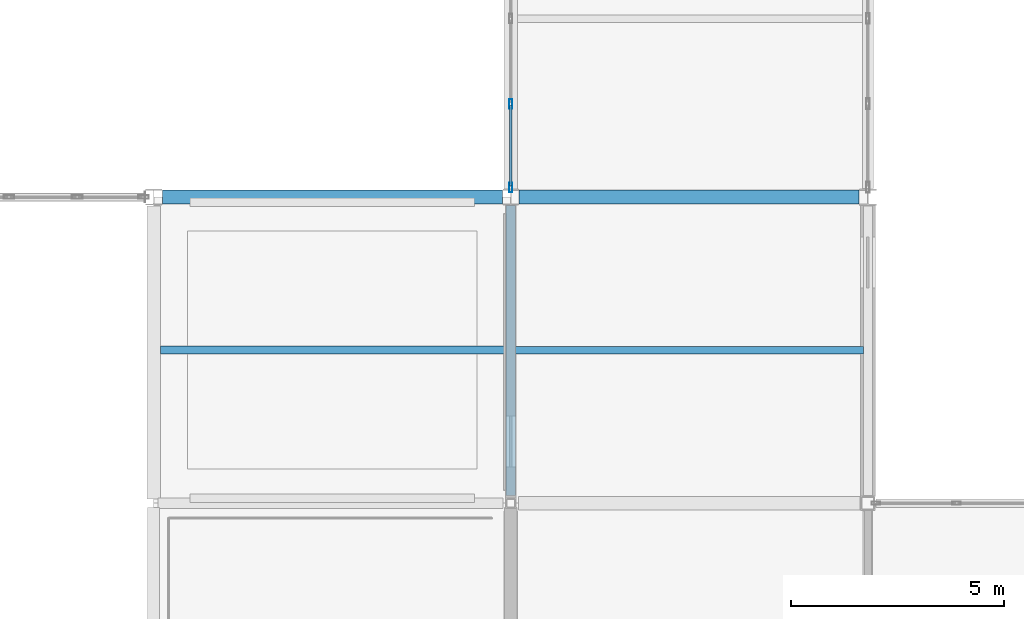
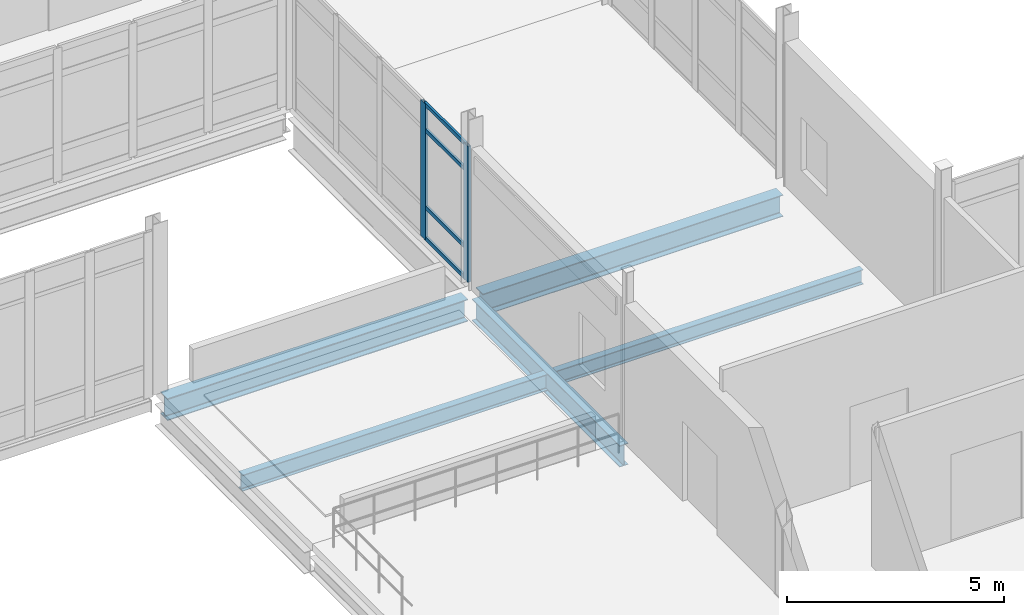
# One storey, part 49 of 186: 6 members, 5 beams, 1 element without a shape of its own.
"""IFC4 building model written with IfcOpenShell, lengths in metres."""

from ifc_helpers import new_model, si_unit, direction, frame, origin, origin_2d, place, context, subcontext, project, spatial, hollow_rectangle, i_section, extrude, material, layer, layer_set, material_profile, profile_set, type_object, element, aggregate, save


model = new_model("IFC4")

# Units and contexts
model_context = context("Model", 3, precision=1e-05, world=origin(), true_north=direction((0.0, 1.0)))
body_context = subcontext(model_context, "Body", "Model", "MODEL_VIEW")
ifc_project = project(units=[si_unit("LENGTHUNIT", "METRE"), si_unit("AREAUNIT", "SQUARE_METRE"), si_unit("VOLUMEUNIT", "CUBIC_METRE"), si_unit("PLANEANGLEUNIT", "RADIAN"), si_unit("MASSUNIT", "GRAM", prefix="KILO")], contexts=[model_context])

# Site, building, storey
site_placement = place(None, origin())
site = spatial("IfcSite", under=ifc_project, at=site_placement, CompositionType="ELEMENT")
building_placement = place(site_placement, origin())
building = spatial("IfcBuilding", under=site, at=building_placement, Name="Calvrana Isthmian Art Gallery", CompositionType="ELEMENT")
storey_placement = place(building_placement, frame((0.0, 0.0, 5.39990234375)))
storey = spatial("IfcBuildingStorey", under=building, at=storey_placement, Name="L01", CompositionType="ELEMENT", Elevation=5.39990234375)

# Beams
ifc_material_1 = material(Name="Steel ASTM A992 Gr 50", Category="steel")
ifc_material_profile_1 = material_profile(ifc_material_1, i_section(OverallWidth=0.324951171875, OverallDepth=0.612060546875, WebThickness=0.0126953125, FlangeThickness=0.01904296875, FilletRadius=0.02197265625, at=origin_2d()), Name="W24X104")
ifc_profile_set_1 = profile_set([ifc_material_profile_1], Name="Steel ASTM A992 Gr 50")
beam_type_1 = type_object("IfcBeamType", Name="BM-G-W24X104", PredefinedType="BEAM", material=ifc_profile_set_1)
beam_1_placement = place(storey_placement, frame((72.199462890625, 21.60009765625, -0.55078125), z_axis=(1.0, 0.0, 0.0), x_axis=(0.0, 1.0, 0.0)))
element("IfcBeam", 1, at=beam_1_placement, inside=storey, type_object=beam_type_1, Name="Girder X L01 10-11/D", PredefinedType="BEAM", context=body_context, shape_type="SweptSolid", body=[
    extrude(i_section(OverallWidth=0.324951171875, OverallDepth=0.612060546875, WebThickness=0.0126953125, FlangeThickness=0.01904296875, FilletRadius=0.02197265625, at=origin_2d()), origin(), (0.0, 0.0, 1.0), 7.99755859375),
])
ifc_material_profile_2 = material_profile(ifc_material_1, i_section(OverallWidth=0.327880859375, OverallDepth=0.6220703125, WebThickness=0.015380859375, FlangeThickness=0.0244140625, FilletRadius=0.02197265625, at=origin_2d()), Name="W24X131")
ifc_profile_set_2 = profile_set([ifc_material_profile_2], Name="Steel ASTM A992 Gr 50")
beam_type_2 = type_object("IfcBeamType", Name="BM-G-W24X131", PredefinedType="BEAM", material=ifc_profile_set_2)
beam_2_placement = place(storey_placement, frame((63.802001953125, 21.60009765625, -0.555908203125), z_axis=(1.0, 0.0, 0.0), x_axis=(0.0, 1.0, 0.0)))
element("IfcBeam", 2, at=beam_2_placement, inside=storey, type_object=beam_type_2, Name="Girder X L01 09-10/D", PredefinedType="BEAM", context=body_context, shape_type="SweptSolid", body=[
    extrude(i_section(OverallWidth=0.327880859375, OverallDepth=0.6220703125, WebThickness=0.015380859375, FlangeThickness=0.0244140625, FilletRadius=0.02197265625, at=origin_2d()), origin(), (0.0, 0.0, 1.0), 7.99853515625),
])
ifc_material_profile_3 = material_profile(ifc_material_1, i_section(OverallWidth=0.22802734375, OverallDepth=0.60693359375, WebThickness=0.01123046875, FlangeThickness=0.017333984375, FilletRadius=0.02197265625, at=origin_2d()), Name="W24X76")
ifc_profile_set_3 = profile_set([ifc_material_profile_3], Name="Steel ASTM A992 Gr 50")
beam_type_3 = type_object("IfcBeamType", Name="BM-G-W24X76", PredefinedType="BEAM", material=ifc_profile_set_3)
beam_3_placement = place(storey_placement, frame((72.0, 14.583984375, -0.54833984375), z_axis=(0.0, 1.0, 0.0), x_axis=(-1.0, 0.0, 0.0)))
element("IfcBeam", 3, at=beam_3_placement, inside=storey, type_object=beam_type_3, Name="Girder Y L01 10/C-D", PredefinedType="BEAM", context=body_context, shape_type="SweptSolid", body=[
    extrude(i_section(OverallWidth=0.22802734375, OverallDepth=0.60693359375, WebThickness=0.01123046875, FlangeThickness=0.017333984375, FilletRadius=0.02197265625, at=origin_2d()), origin(), (0.0, 0.0, 1.0), 6.819091796875),
])
ifc_material_profile_4 = material_profile(ifc_material_1, i_section(OverallWidth=0.179931640625, OverallDepth=0.4140625, WebThickness=0.009765625, FlangeThickness=0.01611328125, FilletRadius=0.01806640625, at=origin_2d()), Name="W16X50")
ifc_profile_set_4 = profile_set([ifc_material_profile_4], Name="Steel ASTM A992 Gr 50")
beam_type_4 = type_object("IfcBeamType", Name="BM-J-W16X50", PredefinedType="JOIST", material=ifc_profile_set_4)
beam_4_placement = place(storey_placement, frame((72.114013671875, 18.0, -0.451904296875), z_axis=(1.0, 0.0, 0.0), x_axis=(0.0, 1.0, 0.0)))
element("IfcBeam", 4, at=beam_4_placement, inside=storey, type_object=beam_type_4, Name="Composite joist L01 bay 09-02", PredefinedType="JOIST", context=body_context, shape_type="SweptSolid", body=[
    extrude(i_section(OverallWidth=0.179931640625, OverallDepth=0.4140625, WebThickness=0.009765625, FlangeThickness=0.01611328125, FilletRadius=0.01806640625, at=origin_2d()), origin(), (0.0, 0.0, 1.0), 8.181396484375),
])
ifc_material_profile_5 = material_profile(ifc_material_1, i_section(OverallWidth=0.19091796875, OverallDepth=0.45703125, WebThickness=0.009033203125, FlangeThickness=0.014404296875, FilletRadius=0.02001953125, at=origin_2d()), Name="W18X50")
ifc_profile_set_5 = profile_set([ifc_material_profile_5], Name="Steel ASTM A992 Gr 50")
beam_type_5 = type_object("IfcBeamType", Name="BM-J-W18X50", PredefinedType="JOIST", material=ifc_profile_set_5)
beam_5_placement = place(storey_placement, frame((63.762451171875, 18.0, -0.473388671875), z_axis=(1.0, 0.0, 0.0), x_axis=(0.0, 1.0, 0.0)))
element("IfcBeam", 5, at=beam_5_placement, inside=storey, type_object=beam_type_5, Name="Composite joist L01 bay 08-02", PredefinedType="JOIST", context=body_context, shape_type="SweptSolid", body=[
    extrude(i_section(OverallWidth=0.19091796875, OverallDepth=0.45703125, WebThickness=0.009033203125, FlangeThickness=0.014404296875, FilletRadius=0.02001953125, at=origin_2d()), origin(), (0.0, 0.0, 1.0), 8.12353515625),
])

# Curtain wall, members
ifc_material_2 = material(Name="Anodized bronze aluminium 6063-T6", Category="aluminium")
ifc_layer = layer(ifc_material_2, 0.179931640625, Name="Anodized bronze aluminium 6063-T6")
ifc_layer_set = layer_set([ifc_layer], Name="Anodized bronze aluminium 6063-T6")
curtain_wall_type = type_object("IfcCurtainWallType", Name="CW-UNIT-080X38", PredefinedType="USERDEFINED", material=ifc_layer_set)
curtain_wall_placement = place(storey_placement, origin())
curtain_wall = element("IfcCurtainWall", 6, at=curtain_wall_placement, inside=storey, type_object=curtain_wall_type, Name="Curtain wall CW-130", ObjectType="UNITISED CURTAIN WALL", PredefinedType="USERDEFINED")
ifc_material_profile_6 = material_profile(ifc_material_2, hollow_rectangle(XDim=0.074951171875, YDim=0.219970703125, WallThickness=0.0048828125, at=origin_2d()), Name="CWM75X220")
ifc_profile_set_6 = profile_set([ifc_material_profile_6], Name="Anodized bronze aluminium 6063-T6")
member_type_1 = type_object("IfcMemberType", Name="CWM-CWM75X220", PredefinedType="MULLION", material=ifc_profile_set_6)
member_1_placement = place(storey_placement, frame((72.0, 21.823974609375, 0.0), z_axis=(0.0, 0.0, 1.0), x_axis=(-1.0, 0.0, 0.0)))
member_1 = element("IfcMember", 7, at=member_1_placement, type_object=member_type_1, Name="CW-130 mullion 1", PredefinedType="MULLION", context=body_context, shape_type="SweptSolid", body=[
    extrude(hollow_rectangle(XDim=0.074951171875, YDim=0.219970703125, WallThickness=0.0048828125, at=origin_2d()), origin(), (0.0, 0.0, 1.0), 3.8271484375),
])
member_2_placement = place(storey_placement, frame((72.0, 23.79296875, 0.0), z_axis=(0.0, 0.0, 1.0), x_axis=(-1.0, 0.0, 0.0)))
member_2 = element("IfcMember", 8, at=member_2_placement, type_object=member_type_1, Name="CW-130 mullion 2", PredefinedType="MULLION", context=body_context, shape_type="SweptSolid", body=[
    extrude(hollow_rectangle(XDim=0.074951171875, YDim=0.219970703125, WallThickness=0.0048828125, at=origin_2d()), origin(), (0.0, 0.0, 1.0), 3.8271484375),
])
ifc_material_profile_7 = material_profile(ifc_material_2, hollow_rectangle(XDim=0.06005859375, YDim=0.110107421875, WallThickness=0.00341796875, at=origin_2d()), Name="CWT60X110")
ifc_profile_set_7 = profile_set([ifc_material_profile_7], Name="Anodized bronze aluminium 6063-T6")
member_type_2 = type_object("IfcMemberType", Name="CWT-CWT60X110", PredefinedType="USERDEFINED", material=ifc_profile_set_7)
member_3_placement = place(storey_placement, frame((72.0, 21.861572265625, 0.030029296875), z_axis=(0.0, 1.0, 0.0), x_axis=(-1.0, 0.0, 0.0)))
member_3 = element("IfcMember", 9, at=member_3_placement, type_object=member_type_2, Name="CW-130 transom 1.1", ObjectType="TRANSOM", PredefinedType="USERDEFINED", context=body_context, shape_type="SweptSolid", body=[
    extrude(hollow_rectangle(XDim=0.06005859375, YDim=0.110107421875, WallThickness=0.00341796875, at=origin_2d()), origin(), (0.0, 0.0, 1.0), 1.893798828125),
])
member_4_placement = place(storey_placement, frame((72.0, 21.861572265625, 0.900146484375), z_axis=(0.0, 1.0, 0.0), x_axis=(-1.0, 0.0, 0.0)))
member_4 = element("IfcMember", 10, at=member_4_placement, type_object=member_type_2, Name="CW-130 transom 1.2", ObjectType="TRANSOM", PredefinedType="USERDEFINED", context=body_context, shape_type="SweptSolid", body=[
    extrude(hollow_rectangle(XDim=0.06005859375, YDim=0.110107421875, WallThickness=0.00341796875, at=origin_2d()), origin(), (0.0, 0.0, 1.0), 1.893798828125),
])
member_5_placement = place(storey_placement, frame((72.0, 21.861572265625, 3.0771484375), z_axis=(0.0, 1.0, 0.0), x_axis=(-1.0, 0.0, 0.0)))
member_5 = element("IfcMember", 11, at=member_5_placement, type_object=member_type_2, Name="CW-130 transom 1.3", ObjectType="TRANSOM", PredefinedType="USERDEFINED", context=body_context, shape_type="SweptSolid", body=[
    extrude(hollow_rectangle(XDim=0.06005859375, YDim=0.110107421875, WallThickness=0.00341796875, at=origin_2d()), origin(), (0.0, 0.0, 1.0), 1.893798828125),
])
member_6_placement = place(storey_placement, frame((72.0, 21.861572265625, 3.797119140625), z_axis=(0.0, 1.0, 0.0), x_axis=(-1.0, 0.0, 0.0)))
member_6 = element("IfcMember", 12, at=member_6_placement, type_object=member_type_2, Name="CW-130 transom 1.4", ObjectType="TRANSOM", PredefinedType="USERDEFINED", context=body_context, shape_type="SweptSolid", body=[
    extrude(hollow_rectangle(XDim=0.06005859375, YDim=0.110107421875, WallThickness=0.00341796875, at=origin_2d()), origin(), (0.0, 0.0, 1.0), 1.893798828125),
])
aggregate(curtain_wall, [member_1, member_2, member_3, member_4, member_5, member_6])

save(model, "model.ifc")
